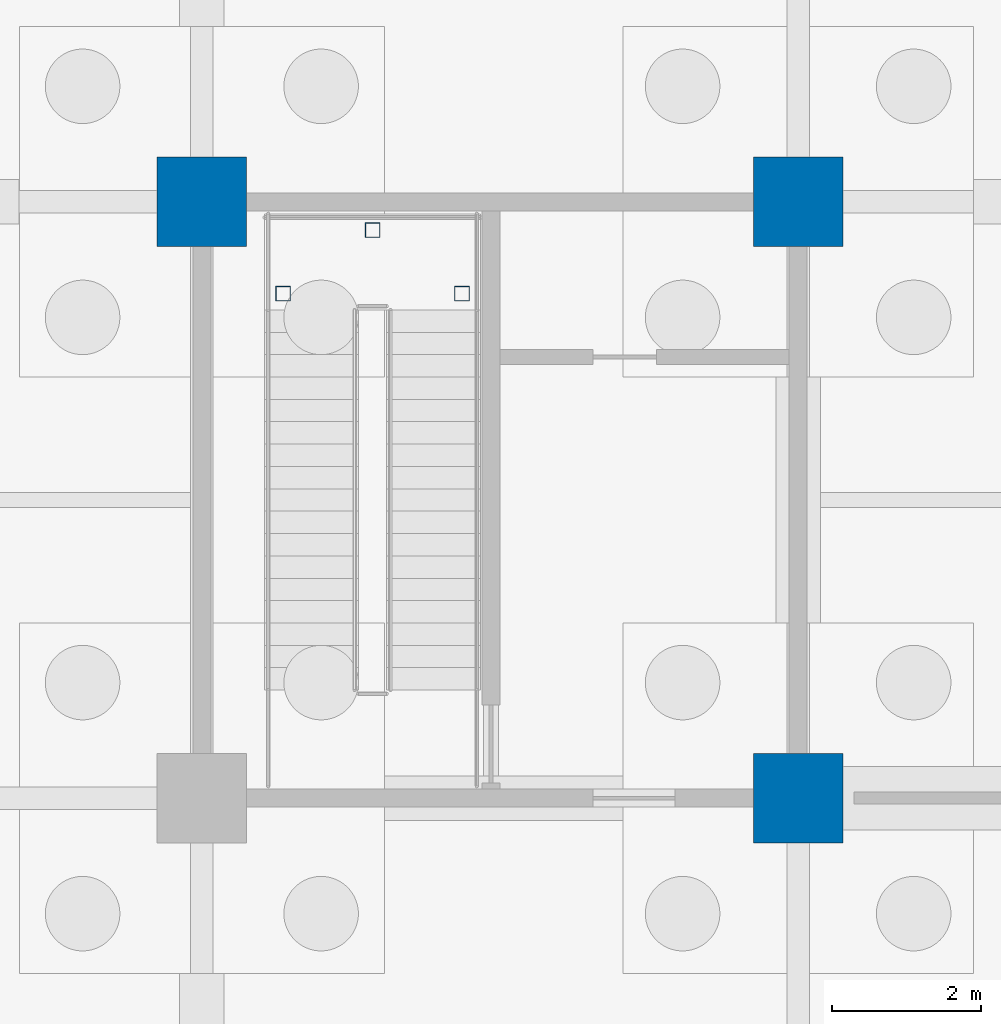
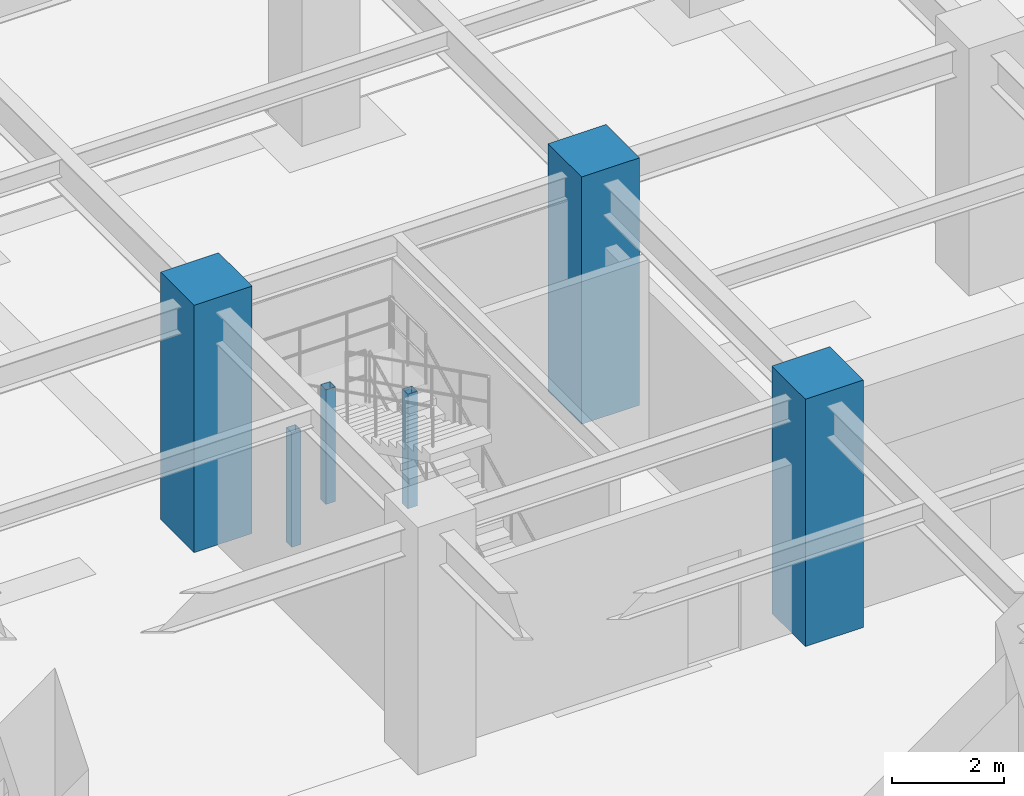
# One storey, part 55 of 97: 6 columns.
"""IFC4 building model written with IfcOpenShell, lengths in metres."""

import ifcopenshell
import ifcopenshell.guid

model = None  # the IFC model being written
_history = None  # IfcOwnerHistory: only IFC2X3 demands one
_inside = {}  # id of a spatial element -> (the spatial element, [elements in it])
_under = {}  # id of a project, library or spatial element -> (it, [spatial elements below it])
_declared = {}  # id of a project -> (the project, [libraries it declares])
_typed = {}  # id of a type object -> (the type object, [elements of that type])
_made_of = {}  # id of a material, layer set ... -> (it, [elements and type objects made of it])


def new_model(schema):
    """Start an empty IFC model of exactly this schema.

    Asked for "IFC4X3", IfcOpenShell would pick the latest addendum, in which some entities
    have other attributes; the version numbers below select the first issue.
    IFC2X3 requires an IfcOwnerHistory on every rooted entity: one is made here for all.
    """
    global model, _history
    if schema == "IFC4X3":
        model = ifcopenshell.file(schema_version=(4, 3, 0, 0))
    else:
        model = ifcopenshell.file(schema=schema)
    _inside.clear()
    _under.clear()
    _declared.clear()
    _typed.clear()
    _made_of.clear()
    _history = None
    if model.schema == "IFC2X3":
        org = make("IfcOrganization", Name="unknown")
        user = make(
            "IfcPersonAndOrganization",
            ThePerson=make("IfcPerson", FamilyName="unknown"),
            TheOrganization=org,
        )
        app = make(
            "IfcApplication",
            ApplicationDeveloper=org,
            Version="unknown",
            ApplicationFullName="unknown",
            ApplicationIdentifier="unknown",
        )
        _history = make(
            "IfcOwnerHistory",
            OwningUser=user,
            OwningApplication=app,
            ChangeAction="ADDED",
            CreationDate=0,
        )
    return model


def make(cls, **values):
    """One entity of the class cls with the attributes given. An attribute that is None is left unset."""
    return model.create_entity(
        cls, **{name: value for name, value in values.items() if value is not None}
    )


def rooted(cls, **values):
    """An entity with a GlobalId (a new one), such as an element, a storey or a relation."""
    return make(cls, GlobalId=ifcopenshell.guid.new(), OwnerHistory=_history, **values)


def si_unit(unit_type, name, prefix=None):
    """IfcSIUnit, for example si_unit("LENGTHUNIT", "METRE", prefix="MILLI")."""
    return make("IfcSIUnit", UnitType=unit_type, Prefix=prefix, Name=name)


def assignment(units):
    """IfcUnitAssignment: the units of a project."""
    return None if units is None else make("IfcUnitAssignment", Units=units)


def point(xyz):
    """IfcCartesianPoint."""
    return None if xyz is None else make("IfcCartesianPoint", Coordinates=xyz)


def direction(xyz):
    """IfcDirection."""
    return None if xyz is None else make("IfcDirection", DirectionRatios=xyz)


def frame(location, z_axis=None, x_axis=None):
    """IfcAxis2Placement3D, a coordinate frame: its origin and axes. An axis left out is left unset."""
    return make(
        "IfcAxis2Placement3D",
        Location=point(location),
        Axis=direction(z_axis),
        RefDirection=direction(x_axis),
    )


def frame_2d(location, x_axis=None):
    """IfcAxis2Placement2D, a coordinate frame in the plane: its origin and x axis."""
    return make(
        "IfcAxis2Placement2D", Location=point(location), RefDirection=direction(x_axis)
    )


def origin():
    """The frame at (0, 0, 0) with its axes left unset."""
    return frame((0.0, 0.0, 0.0))


def origin_2d():
    """The frame at (0, 0) in the plane with its x axis left unset."""
    return frame_2d((0.0, 0.0))


def place(relative_to, where):
    """IfcLocalPlacement: puts the frame where relative to a parent placement (None: the world)."""
    return make(
        "IfcLocalPlacement", PlacementRelTo=relative_to, RelativePlacement=where
    )


def context(
    kind, dimensions, precision=None, world=None, true_north=None, identifier=None
):
    """IfcGeometricRepresentationContext, for example the 3D "Model" context."""
    return make(
        "IfcGeometricRepresentationContext",
        ContextIdentifier=identifier,
        ContextType=kind,
        CoordinateSpaceDimension=dimensions,
        Precision=precision,
        WorldCoordinateSystem=world,
        TrueNorth=true_north,
    )


def subcontext(parent, identifier, kind, view, scale=None):
    """IfcGeometricRepresentationSubContext, for example "Body" below "Model"."""
    return make(
        "IfcGeometricRepresentationSubContext",
        ContextIdentifier=identifier,
        ContextType=kind,
        ParentContext=parent,
        TargetScale=scale,
        TargetView=view,
    )


def project(units=None, contexts=None):
    """IfcProject with its units and contexts."""
    return rooted(
        "IfcProject",
        Name="project",
        RepresentationContexts=contexts,
        UnitsInContext=assignment(units),
    )


def spatial(cls, under=None, at=None, **own):
    """A site, building, storey or space (cls), placed at a placement, below another one or the project."""
    s = rooted(cls, ObjectPlacement=at, **own)
    if under is not None:
        _under.setdefault(under.id(), (under, []))[1].append(s)
    return s


def profile(cls, at=None, kind="AREA", **sizes):
    """A parametric profile (cls). Its sizes go by their IFC names, for example OverallWidth=200.0."""
    return make(cls, ProfileType=kind, Position=at, **sizes)


def rectangle(**sizes):
    """IfcRectangleProfileDef."""
    return profile("IfcRectangleProfileDef", **sizes)


def hollow_rectangle(**sizes):
    """IfcRectangleHollowProfileDef."""
    return profile("IfcRectangleHollowProfileDef", **sizes)


def extrude(swept, where, along, depth):
    """IfcExtrudedAreaSolid: the profile swept, set in the frame where, extruded along a direction by depth."""
    return make(
        "IfcExtrudedAreaSolid",
        SweptArea=swept,
        Position=where,
        ExtrudedDirection=direction(along),
        Depth=depth,
    )


def shape(context_of_items, identifier, shape_type, items):
    """IfcShapeRepresentation: the items that make up one representation, for example the "Body"."""
    return make(
        "IfcShapeRepresentation",
        ContextOfItems=context_of_items,
        RepresentationIdentifier=identifier,
        RepresentationType=shape_type,
        Items=items,
    )


def material(Name=None, Category=None):
    """IfcMaterial."""
    return make("IfcMaterial", Name=Name, Category=Category)


def material_profile(
    of_material, cross_section, Name=None, Category=None, Priority=None
):
    """IfcMaterialProfile: a cross section and its material."""
    return make(
        "IfcMaterialProfile",
        Name=Name,
        Material=of_material,
        Profile=cross_section,
        Priority=Priority,
        Category=Category,
    )


def profile_set(profiles, Name=None, composite=None):
    """IfcMaterialProfileSet."""
    return make(
        "IfcMaterialProfileSet",
        Name=Name,
        MaterialProfiles=profiles,
        CompositeProfile=composite,
    )


def made_of(thing, what):
    """Note that an element or type object is made of a material, layer set ...; save() writes the relation."""
    if what is not None:
        _made_of.setdefault(what.id(), (what, []))[1].append(thing)
    return thing


def type_object(cls, material=None, **own):
    """A type object (cls), such as IfcWallType, which elements share."""
    return made_of(rooted(cls, **own), material)


def element(
    cls,
    number,
    at=None,
    inside=None,
    cuts=None,
    type_object=None,
    material=None,
    context=None,
    identifier="Body",
    shape_type=None,
    held_by="IfcProductDefinitionShape",
    body=None,
    shapes=None,
    **own,
):
    """One element of the class cls, such as IfcWall. Its Tag is "e" and its number.

    at: its placement. inside: the storey or other place that contains it. cuts: it is an
    opening in that element (IfcRelVoidsElement). A single representation is given by context,
    identifier, shape_type and body (its items); several are given by shapes. held_by: the class
    of the entity that holds the representations. save() writes the other relations.
    """
    e = rooted(cls, Tag="e%d" % number, ObjectPlacement=at, **own)
    if body is not None:
        shapes = [shape(context, identifier, shape_type, body)]
    if shapes is not None:
        e.Representation = make(held_by, Representations=shapes)
    if inside is not None:
        _inside.setdefault(inside.id(), (inside, []))[1].append(e)
    if cuts is not None:
        rooted(
            "IfcRelVoidsElement", RelatingBuildingElement=cuts, RelatedOpeningElement=e
        )
    if type_object is not None:
        _typed.setdefault(type_object.id(), (type_object, []))[1].append(e)
    return made_of(e, material)


def aggregate(whole, parts):
    """IfcRelAggregates: a whole, such as a stair, and the parts it consists of."""
    return rooted("IfcRelAggregates", RelatingObject=whole, RelatedObjects=parts)


def save(model, path):
    """Write the relations noted so far, then the file.

    IfcRelAggregates (storeys below a building ...), IfcRelContainedInSpatialStructure (elements
    in a storey), IfcRelDefinesByType, IfcRelAssociatesMaterial and IfcRelDeclares: one each for
    every whole, place, type object, material and project.
    """
    for whole, parts in _under.values():
        aggregate(whole, parts)
    for where, things in _inside.values():
        rooted(
            "IfcRelContainedInSpatialStructure",
            RelatedElements=things,
            RelatingStructure=where,
        )
    for kind, things in _typed.values():
        rooted("IfcRelDefinesByType", RelatedObjects=things, RelatingType=kind)
    for what, things in _made_of.values():
        rooted("IfcRelAssociatesMaterial", RelatedObjects=things, RelatingMaterial=what)
    for by, libraries in _declared.values():
        rooted("IfcRelDeclares", RelatingContext=by, RelatedDefinitions=libraries)
    model.write(path)


model = new_model("IFC4")

# Units and contexts
model_context = context("Model", 3, precision=1e-05, world=origin(), true_north=direction((0.0, 1.0)))
body_context = subcontext(model_context, "Body", "Model", "MODEL_VIEW")
ifc_project = project(units=[si_unit("LENGTHUNIT", "METRE"), si_unit("AREAUNIT", "SQUARE_METRE"), si_unit("VOLUMEUNIT", "CUBIC_METRE"), si_unit("PLANEANGLEUNIT", "RADIAN"), si_unit("MASSUNIT", "GRAM", prefix="KILO")], contexts=[model_context])

# Site, building, storey
site_placement = place(None, origin())
site = spatial("IfcSite", under=ifc_project, at=site_placement, CompositionType="ELEMENT")
building_placement = place(site_placement, origin())
building = spatial("IfcBuilding", under=site, at=building_placement, Name="Haebicheon Civic Stadium", CompositionType="ELEMENT")
storey_placement = place(building_placement, frame((0.0, 0.0, -5.39990234375)))
storey = spatial("IfcBuildingStorey", under=building, at=storey_placement, Name="B1", CompositionType="ELEMENT", Elevation=-5.39990234375)

# Columns
ifc_material_1 = material(Name="Concrete C40/50", Category="concrete")
ifc_material_profile_1 = material_profile(ifc_material_1, rectangle(XDim=1.199951171875, YDim=1.199951171875, at=origin_2d()), Name="RC-COL-1200x1200")
ifc_profile_set_1 = profile_set([ifc_material_profile_1], Name="Concrete C40/50")
column_type_1 = type_object("IfcColumnType", Name="COL-RC-1200", PredefinedType="COLUMN", material=ifc_profile_set_1)
for number, where, z_axis, x_axis, name in (
    (1, (112.0, 168.0, 0.0), (0.0, 0.0, 1.0), (1.0, 0.0, 0.0), "B1 column 15/X"),
    (2, (120.0, 160.0, 0.0), (0.0, 0.0, 1.0), (1.0, 0.0, 0.0), "B1 column 16/W"),
    (3, (120.0, 168.0, 0.0), (0.0, 0.0, 1.0), (1.0, 0.0, 0.0), "B1 column 16/X"),
):
    element("IfcColumn", number, at=place(storey_placement, frame(where, z_axis=z_axis, x_axis=x_axis)), inside=storey, type_object=column_type_1, material=ifc_profile_set_1, Name=name, PredefinedType="COLUMN", context=body_context, shape_type="SweptSolid", body=[
        extrude(rectangle(XDim=1.199951171875, YDim=1.199951171875, at=origin_2d()), origin(), (0.0, 0.0, 1.0), 5.39990234375),
    ])
ifc_material_2 = material(Name="Steel SM355 (S355)", Category="steel")
ifc_material_profile_2 = material_profile(ifc_material_2, hollow_rectangle(XDim=0.199951171875, YDim=0.199951171875, WallThickness=0.009033203125, at=origin_2d()), Name="RHS-200x200x9.0")
ifc_profile_set_2 = profile_set([ifc_material_profile_2], Name="Steel SM355 (S355)")
column_type_2 = type_object("IfcColumnType", Name="COL-ST-RHS200", PredefinedType="COLUMN", material=ifc_profile_set_2)
for number, where, z_axis, x_axis, name in (
    (4, (113.090087890625, 166.77001953125, 0.0), (0.0, 0.0, 1.0), (1.0, 0.0, 0.0), "KC-09 B1 stair half-landing support post A"),
    (5, (115.489990234375, 166.77001953125, 0.0), (0.0, 0.0, 1.0), (1.0, 0.0, 0.0), "KC-09 B1 stair half-landing support post B"),
    (6, (114.2900390625, 167.6201171875, 0.0), (0.0, 0.0, 1.0), (1.0, 0.0, 0.0), "KC-09 B1 stair half-landing support post C"),
):
    element("IfcColumn", number, at=place(storey_placement, frame(where, z_axis=z_axis, x_axis=x_axis)), inside=storey, type_object=column_type_2, material=ifc_profile_set_2, Name=name, PredefinedType="COLUMN", context=body_context, shape_type="SweptSolid", body=[
        extrude(hollow_rectangle(XDim=0.199951171875, YDim=0.199951171875, WallThickness=0.009033203125, at=origin_2d()), origin(), (0.0, 0.0, 1.0), 2.5),
    ])

save(model, "model.ifc")
